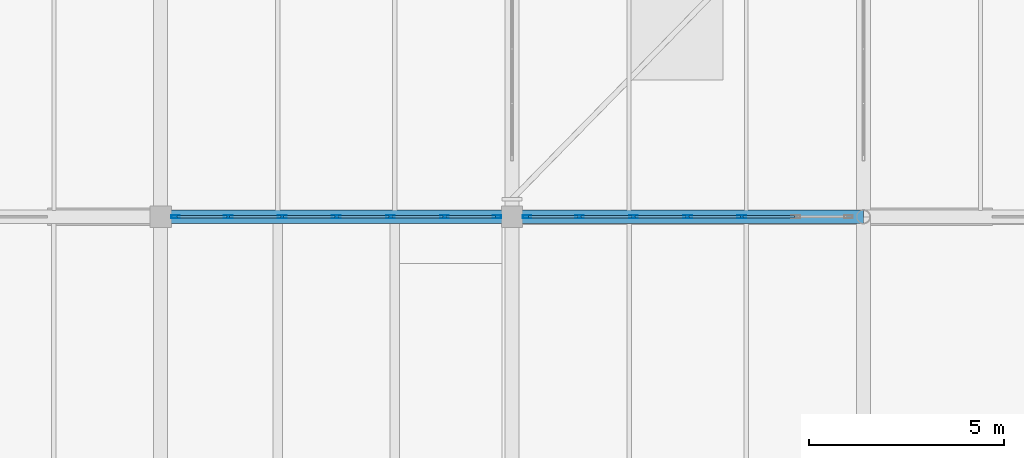
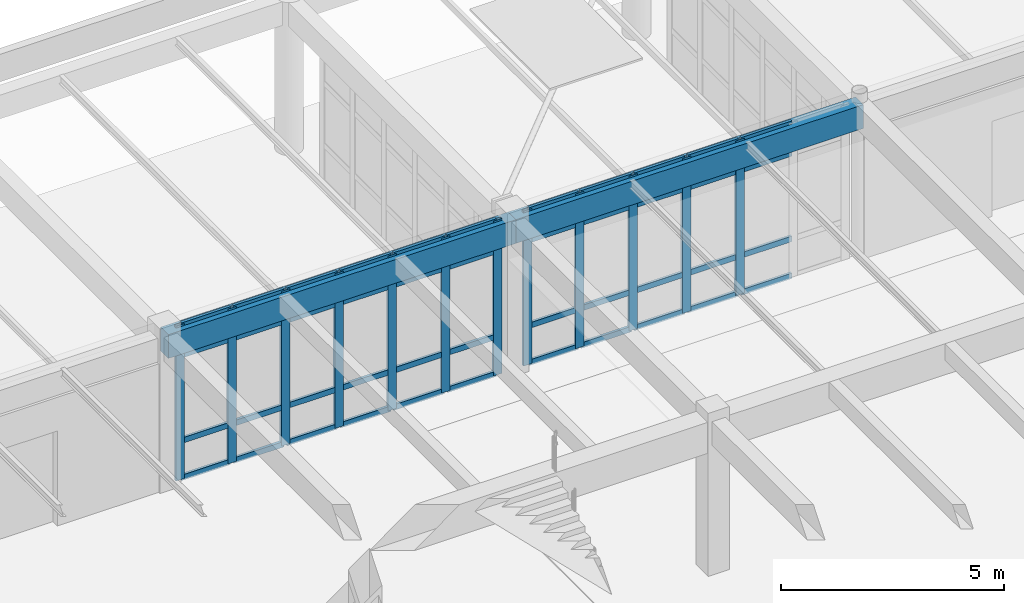
# One storey, part 92 of 186: 56 members, 2 beams, 2 elements without a shape of their own.
"""IFC4 building model written with IfcOpenShell, lengths in metres."""

import ifcopenshell
import ifcopenshell.guid

model = None  # the IFC model being written
_history = None  # IfcOwnerHistory: only IFC2X3 demands one
_inside = {}  # id of a spatial element -> (the spatial element, [elements in it])
_under = {}  # id of a project, library or spatial element -> (it, [spatial elements below it])
_declared = {}  # id of a project -> (the project, [libraries it declares])
_typed = {}  # id of a type object -> (the type object, [elements of that type])
_made_of = {}  # id of a material, layer set ... -> (it, [elements and type objects made of it])


def new_model(schema):
    """Start an empty IFC model of exactly this schema.

    Asked for "IFC4X3", IfcOpenShell would pick the latest addendum, in which some entities
    have other attributes; the version numbers below select the first issue.
    IFC2X3 requires an IfcOwnerHistory on every rooted entity: one is made here for all.
    """
    global model, _history
    if schema == "IFC4X3":
        model = ifcopenshell.file(schema_version=(4, 3, 0, 0))
    else:
        model = ifcopenshell.file(schema=schema)
    _inside.clear()
    _under.clear()
    _declared.clear()
    _typed.clear()
    _made_of.clear()
    _history = None
    if model.schema == "IFC2X3":
        org = make("IfcOrganization", Name="unknown")
        user = make(
            "IfcPersonAndOrganization",
            ThePerson=make("IfcPerson", FamilyName="unknown"),
            TheOrganization=org,
        )
        app = make(
            "IfcApplication",
            ApplicationDeveloper=org,
            Version="unknown",
            ApplicationFullName="unknown",
            ApplicationIdentifier="unknown",
        )
        _history = make(
            "IfcOwnerHistory",
            OwningUser=user,
            OwningApplication=app,
            ChangeAction="ADDED",
            CreationDate=0,
        )
    return model


def make(cls, **values):
    """One entity of the class cls with the attributes given. An attribute that is None is left unset."""
    return model.create_entity(
        cls, **{name: value for name, value in values.items() if value is not None}
    )


def rooted(cls, **values):
    """An entity with a GlobalId (a new one), such as an element, a storey or a relation."""
    return make(cls, GlobalId=ifcopenshell.guid.new(), OwnerHistory=_history, **values)


def si_unit(unit_type, name, prefix=None):
    """IfcSIUnit, for example si_unit("LENGTHUNIT", "METRE", prefix="MILLI")."""
    return make("IfcSIUnit", UnitType=unit_type, Prefix=prefix, Name=name)


def assignment(units):
    """IfcUnitAssignment: the units of a project."""
    return None if units is None else make("IfcUnitAssignment", Units=units)


def point(xyz):
    """IfcCartesianPoint."""
    return None if xyz is None else make("IfcCartesianPoint", Coordinates=xyz)


def direction(xyz):
    """IfcDirection."""
    return None if xyz is None else make("IfcDirection", DirectionRatios=xyz)


def frame(location, z_axis=None, x_axis=None):
    """IfcAxis2Placement3D, a coordinate frame: its origin and axes. An axis left out is left unset."""
    return make(
        "IfcAxis2Placement3D",
        Location=point(location),
        Axis=direction(z_axis),
        RefDirection=direction(x_axis),
    )


def frame_2d(location, x_axis=None):
    """IfcAxis2Placement2D, a coordinate frame in the plane: its origin and x axis."""
    return make(
        "IfcAxis2Placement2D", Location=point(location), RefDirection=direction(x_axis)
    )


def origin():
    """The frame at (0, 0, 0) with its axes left unset."""
    return frame((0.0, 0.0, 0.0))


def origin_2d():
    """The frame at (0, 0) in the plane with its x axis left unset."""
    return frame_2d((0.0, 0.0))


def place(relative_to, where):
    """IfcLocalPlacement: puts the frame where relative to a parent placement (None: the world)."""
    return make(
        "IfcLocalPlacement", PlacementRelTo=relative_to, RelativePlacement=where
    )


def context(
    kind, dimensions, precision=None, world=None, true_north=None, identifier=None
):
    """IfcGeometricRepresentationContext, for example the 3D "Model" context."""
    return make(
        "IfcGeometricRepresentationContext",
        ContextIdentifier=identifier,
        ContextType=kind,
        CoordinateSpaceDimension=dimensions,
        Precision=precision,
        WorldCoordinateSystem=world,
        TrueNorth=true_north,
    )


def subcontext(parent, identifier, kind, view, scale=None):
    """IfcGeometricRepresentationSubContext, for example "Body" below "Model"."""
    return make(
        "IfcGeometricRepresentationSubContext",
        ContextIdentifier=identifier,
        ContextType=kind,
        ParentContext=parent,
        TargetScale=scale,
        TargetView=view,
    )


def project(units=None, contexts=None):
    """IfcProject with its units and contexts."""
    return rooted(
        "IfcProject",
        Name="project",
        RepresentationContexts=contexts,
        UnitsInContext=assignment(units),
    )


def spatial(cls, under=None, at=None, **own):
    """A site, building, storey or space (cls), placed at a placement, below another one or the project."""
    s = rooted(cls, ObjectPlacement=at, **own)
    if under is not None:
        _under.setdefault(under.id(), (under, []))[1].append(s)
    return s


def profile(cls, at=None, kind="AREA", **sizes):
    """A parametric profile (cls). Its sizes go by their IFC names, for example OverallWidth=200.0."""
    return make(cls, ProfileType=kind, Position=at, **sizes)


def rectangle(**sizes):
    """IfcRectangleProfileDef."""
    return profile("IfcRectangleProfileDef", **sizes)


def hollow_rectangle(**sizes):
    """IfcRectangleHollowProfileDef."""
    return profile("IfcRectangleHollowProfileDef", **sizes)


def extrude(swept, where, along, depth):
    """IfcExtrudedAreaSolid: the profile swept, set in the frame where, extruded along a direction by depth."""
    return make(
        "IfcExtrudedAreaSolid",
        SweptArea=swept,
        Position=where,
        ExtrudedDirection=direction(along),
        Depth=depth,
    )


def shape(context_of_items, identifier, shape_type, items):
    """IfcShapeRepresentation: the items that make up one representation, for example the "Body"."""
    return make(
        "IfcShapeRepresentation",
        ContextOfItems=context_of_items,
        RepresentationIdentifier=identifier,
        RepresentationType=shape_type,
        Items=items,
    )


def material(Name=None, Category=None):
    """IfcMaterial."""
    return make("IfcMaterial", Name=Name, Category=Category)


def layer(
    of_material, thickness, ventilated=None, Name=None, Category=None, Priority=None
):
    """IfcMaterialLayer: one layer of a wall or slab, of a material (None: an air gap)."""
    return make(
        "IfcMaterialLayer",
        Material=of_material,
        LayerThickness=thickness,
        IsVentilated=ventilated,
        Name=Name,
        Category=Category,
        Priority=Priority,
    )


def layer_set(layers, Name=None):
    """IfcMaterialLayerSet."""
    return make("IfcMaterialLayerSet", MaterialLayers=layers, LayerSetName=Name)


def material_profile(
    of_material, cross_section, Name=None, Category=None, Priority=None
):
    """IfcMaterialProfile: a cross section and its material."""
    return make(
        "IfcMaterialProfile",
        Name=Name,
        Material=of_material,
        Profile=cross_section,
        Priority=Priority,
        Category=Category,
    )


def profile_set(profiles, Name=None, composite=None):
    """IfcMaterialProfileSet."""
    return make(
        "IfcMaterialProfileSet",
        Name=Name,
        MaterialProfiles=profiles,
        CompositeProfile=composite,
    )


def made_of(thing, what):
    """Note that an element or type object is made of a material, layer set ...; save() writes the relation."""
    if what is not None:
        _made_of.setdefault(what.id(), (what, []))[1].append(thing)
    return thing


def type_object(cls, material=None, **own):
    """A type object (cls), such as IfcWallType, which elements share."""
    return made_of(rooted(cls, **own), material)


def element(
    cls,
    number,
    at=None,
    inside=None,
    cuts=None,
    type_object=None,
    material=None,
    context=None,
    identifier="Body",
    shape_type=None,
    held_by="IfcProductDefinitionShape",
    body=None,
    shapes=None,
    **own,
):
    """One element of the class cls, such as IfcWall. Its Tag is "e" and its number.

    at: its placement. inside: the storey or other place that contains it. cuts: it is an
    opening in that element (IfcRelVoidsElement). A single representation is given by context,
    identifier, shape_type and body (its items); several are given by shapes. held_by: the class
    of the entity that holds the representations. save() writes the other relations.
    """
    e = rooted(cls, Tag="e%d" % number, ObjectPlacement=at, **own)
    if body is not None:
        shapes = [shape(context, identifier, shape_type, body)]
    if shapes is not None:
        e.Representation = make(held_by, Representations=shapes)
    if inside is not None:
        _inside.setdefault(inside.id(), (inside, []))[1].append(e)
    if cuts is not None:
        rooted(
            "IfcRelVoidsElement", RelatingBuildingElement=cuts, RelatedOpeningElement=e
        )
    if type_object is not None:
        _typed.setdefault(type_object.id(), (type_object, []))[1].append(e)
    return made_of(e, material)


def aggregate(whole, parts):
    """IfcRelAggregates: a whole, such as a stair, and the parts it consists of."""
    return rooted("IfcRelAggregates", RelatingObject=whole, RelatedObjects=parts)


def save(model, path):
    """Write the relations noted so far, then the file.

    IfcRelAggregates (storeys below a building ...), IfcRelContainedInSpatialStructure (elements
    in a storey), IfcRelDefinesByType, IfcRelAssociatesMaterial and IfcRelDeclares: one each for
    every whole, place, type object, material and project.
    """
    for whole, parts in _under.values():
        aggregate(whole, parts)
    for where, things in _inside.values():
        rooted(
            "IfcRelContainedInSpatialStructure",
            RelatedElements=things,
            RelatingStructure=where,
        )
    for kind, things in _typed.values():
        rooted("IfcRelDefinesByType", RelatedObjects=things, RelatingType=kind)
    for what, things in _made_of.values():
        rooted("IfcRelAssociatesMaterial", RelatedObjects=things, RelatingMaterial=what)
    for by, libraries in _declared.values():
        rooted("IfcRelDeclares", RelatingContext=by, RelatedDefinitions=libraries)
    model.write(path)


model = new_model("IFC4")

# Units and contexts
model_context = context("Model", 3, precision=1e-05, world=origin(), true_north=direction((0.0, 1.0)))
body_context = subcontext(model_context, "Body", "Model", "MODEL_VIEW")
ifc_project = project(units=[si_unit("LENGTHUNIT", "METRE"), si_unit("AREAUNIT", "SQUARE_METRE"), si_unit("VOLUMEUNIT", "CUBIC_METRE"), si_unit("PLANEANGLEUNIT", "RADIAN"), si_unit("MASSUNIT", "GRAM", prefix="KILO")], contexts=[model_context])

# Site, building, storey
site_placement = place(None, origin())
site = spatial("IfcSite", under=ifc_project, at=site_placement, CompositionType="ELEMENT")
building_placement = place(site_placement, origin())
building = spatial("IfcBuilding", under=site, at=building_placement, Name="Ornek Quay Market", CompositionType="ELEMENT")
storey_placement = place(building_placement, origin())
storey = spatial("IfcBuildingStorey", under=building, at=storey_placement, Name="L00", CompositionType="ELEMENT", Elevation=0.0)

# Beams
ifc_material_1 = material(Name="Concrete C35/45", Category="concrete")
ifc_material_profile_1 = material_profile(ifc_material_1, rectangle(XDim=0.35009765625, YDim=0.64990234375, at=origin_2d()), Name="RC 350x650", Category="concrete")
ifc_profile_set_1 = profile_set([ifc_material_profile_1], Name="Concrete C35/45")
beam_type = type_object("IfcBeamType", Name="BM-CONC-350x650", PredefinedType="BEAM", material=ifc_profile_set_1)
for number, where, z_axis, x_axis, name in (
    (1, (63.0, 110.0, 3.864990234375), (1.0, 0.0, 0.0), (0.0, 1.0, 0.0), "Primary beam B-CN1-009"),
    (2, (72.0, 110.0, 3.864990234375), (1.0, 0.0, 0.0), (0.0, 1.0, 0.0), "Primary beam B-CN1-010"),
):
    element("IfcBeam", number, at=place(storey_placement, frame(where, z_axis=z_axis, x_axis=x_axis)), inside=storey, type_object=beam_type, Name=name, PredefinedType="BEAM", context=body_context, shape_type="SweptSolid", body=[
        extrude(rectangle(XDim=0.35009765625, YDim=0.64990234375, at=origin_2d()), origin(), (0.0, 0.0, 1.0), 9.0),
    ])

# Curtain wall, members
ifc_material_2 = material(Name="Anodised bronze aluminium and triple low-e glass", Category="aluminium")
ifc_layer = layer(ifc_material_2, 0.219970703125, Name="Anodised bronze aluminium and triple low-e glass", Category="aluminium")
ifc_layer_set = layer_set([ifc_layer], Name="Anodised bronze aluminium and triple low-e glass")
curtain_wall_type = type_object("IfcCurtainWallType", Name="CW-PORCH-MOD1500", PredefinedType="USERDEFINED", material=ifc_layer_set)
curtain_wall_1_placement = place(storey_placement, origin())
curtain_wall_1 = element("IfcCurtainWall", 3, at=curtain_wall_1_placement, inside=storey, type_object=curtain_wall_type, Name="Curtain wall CW-045", ObjectType="CURTAIN WALL", PredefinedType="USERDEFINED")
ifc_material_3 = material(Name="Anodised aluminium 6063-T6", Category="aluminium")
ifc_material_profile_2 = material_profile(ifc_material_3, hollow_rectangle(XDim=0.074951171875, YDim=0.219970703125, WallThickness=0.0048828125, at=origin_2d()), Name="CW-MUL-75x220", Category="aluminium")
ifc_profile_set_2 = profile_set([ifc_material_profile_2], Name="Anodised aluminium 6063-T6")
member_type_1 = type_object("IfcMemberType", Name="CW-MUL-75x220", PredefinedType="MULLION", material=ifc_profile_set_2)
member_1_placement = place(storey_placement, frame((63.387451171875, 110.0, 0.0), z_axis=(0.0, 0.0, 1.0), x_axis=(0.0, 1.0, 0.0)))
member_1 = element("IfcMember", 4, at=member_1_placement, type_object=member_type_1, Name="CW-045 mullion 1", PredefinedType="MULLION", context=body_context, shape_type="SweptSolid", body=[
    extrude(hollow_rectangle(XDim=0.074951171875, YDim=0.219970703125, WallThickness=0.0048828125, at=origin_2d()), origin(), (0.0, 0.0, 1.0), 4.239990234375),
])
member_2_placement = place(storey_placement, frame((64.7333984375, 110.0, 0.0), z_axis=(0.0, 0.0, 1.0), x_axis=(0.0, 1.0, 0.0)))
member_2 = element("IfcMember", 5, at=member_2_placement, type_object=member_type_1, Name="CW-045 mullion 2", PredefinedType="MULLION", context=body_context, shape_type="SweptSolid", body=[
    extrude(hollow_rectangle(XDim=0.074951171875, YDim=0.219970703125, WallThickness=0.0048828125, at=origin_2d()), origin(), (0.0, 0.0, 1.0), 4.239990234375),
])
member_3_placement = place(storey_placement, frame((66.11669921875, 110.0, 0.0), z_axis=(0.0, 0.0, 1.0), x_axis=(0.0, 1.0, 0.0)))
member_3 = element("IfcMember", 6, at=member_3_placement, type_object=member_type_1, Name="CW-045 mullion 3", PredefinedType="MULLION", context=body_context, shape_type="SweptSolid", body=[
    extrude(hollow_rectangle(XDim=0.074951171875, YDim=0.219970703125, WallThickness=0.0048828125, at=origin_2d()), origin(), (0.0, 0.0, 1.0), 4.239990234375),
])
member_4_placement = place(storey_placement, frame((67.5, 110.0, 0.0), z_axis=(0.0, 0.0, 1.0), x_axis=(0.0, 1.0, 0.0)))
member_4 = element("IfcMember", 7, at=member_4_placement, type_object=member_type_1, Name="CW-045 mullion 4", PredefinedType="MULLION", context=body_context, shape_type="SweptSolid", body=[
    extrude(hollow_rectangle(XDim=0.074951171875, YDim=0.219970703125, WallThickness=0.0048828125, at=origin_2d()), origin(), (0.0, 0.0, 1.0), 4.239990234375),
])
member_5_placement = place(storey_placement, frame((68.88330078125, 110.0, 0.0), z_axis=(0.0, 0.0, 1.0), x_axis=(0.0, 1.0, 0.0)))
member_5 = element("IfcMember", 8, at=member_5_placement, type_object=member_type_1, Name="CW-045 mullion 5", PredefinedType="MULLION", context=body_context, shape_type="SweptSolid", body=[
    extrude(hollow_rectangle(XDim=0.074951171875, YDim=0.219970703125, WallThickness=0.0048828125, at=origin_2d()), origin(), (0.0, 0.0, 1.0), 4.239990234375),
])
member_6_placement = place(storey_placement, frame((70.2666015625, 110.0, 0.0), z_axis=(0.0, 0.0, 1.0), x_axis=(0.0, 1.0, 0.0)))
member_6 = element("IfcMember", 9, at=member_6_placement, type_object=member_type_1, Name="CW-045 mullion 6", PredefinedType="MULLION", context=body_context, shape_type="SweptSolid", body=[
    extrude(hollow_rectangle(XDim=0.074951171875, YDim=0.219970703125, WallThickness=0.0048828125, at=origin_2d()), origin(), (0.0, 0.0, 1.0), 4.239990234375),
])
member_7_placement = place(storey_placement, frame((71.612548828125, 110.0, 0.0), z_axis=(0.0, 0.0, 1.0), x_axis=(0.0, 1.0, 0.0)))
member_7 = element("IfcMember", 10, at=member_7_placement, type_object=member_type_1, Name="CW-045 mullion 7", PredefinedType="MULLION", context=body_context, shape_type="SweptSolid", body=[
    extrude(hollow_rectangle(XDim=0.074951171875, YDim=0.219970703125, WallThickness=0.0048828125, at=origin_2d()), origin(), (0.0, 0.0, 1.0), 4.239990234375),
])

curtain_wall_2_placement = place(storey_placement, origin())
curtain_wall_2 = element("IfcCurtainWall", 11, at=curtain_wall_2_placement, inside=storey, type_object=curtain_wall_type, Name="Curtain wall CW-046", ObjectType="CURTAIN WALL", PredefinedType="USERDEFINED")
member_8_placement = place(storey_placement, frame((72.387451171875, 110.0, 0.0), z_axis=(0.0, 0.0, 1.0), x_axis=(0.0, 1.0, 0.0)))
member_8 = element("IfcMember", 12, at=member_8_placement, type_object=member_type_1, Name="CW-046 mullion 1", PredefinedType="MULLION", context=body_context, shape_type="SweptSolid", body=[
    extrude(hollow_rectangle(XDim=0.074951171875, YDim=0.219970703125, WallThickness=0.0048828125, at=origin_2d()), origin(), (0.0, 0.0, 1.0), 4.239990234375),
])
member_9_placement = place(storey_placement, frame((73.7333984375, 110.0, 0.0), z_axis=(0.0, 0.0, 1.0), x_axis=(0.0, 1.0, 0.0)))
member_9 = element("IfcMember", 13, at=member_9_placement, type_object=member_type_1, Name="CW-046 mullion 2", PredefinedType="MULLION", context=body_context, shape_type="SweptSolid", body=[
    extrude(hollow_rectangle(XDim=0.074951171875, YDim=0.219970703125, WallThickness=0.0048828125, at=origin_2d()), origin(), (0.0, 0.0, 1.0), 4.239990234375),
])
member_10_placement = place(storey_placement, frame((75.11669921875, 110.0, 0.0), z_axis=(0.0, 0.0, 1.0), x_axis=(0.0, 1.0, 0.0)))
member_10 = element("IfcMember", 14, at=member_10_placement, type_object=member_type_1, Name="CW-046 mullion 3", PredefinedType="MULLION", context=body_context, shape_type="SweptSolid", body=[
    extrude(hollow_rectangle(XDim=0.074951171875, YDim=0.219970703125, WallThickness=0.0048828125, at=origin_2d()), origin(), (0.0, 0.0, 1.0), 4.239990234375),
])
member_11_placement = place(storey_placement, frame((76.5, 110.0, 0.0), z_axis=(0.0, 0.0, 1.0), x_axis=(0.0, 1.0, 0.0)))
member_11 = element("IfcMember", 15, at=member_11_placement, type_object=member_type_1, Name="CW-046 mullion 4", PredefinedType="MULLION", context=body_context, shape_type="SweptSolid", body=[
    extrude(hollow_rectangle(XDim=0.074951171875, YDim=0.219970703125, WallThickness=0.0048828125, at=origin_2d()), origin(), (0.0, 0.0, 1.0), 4.239990234375),
])
member_12_placement = place(storey_placement, frame((77.88330078125, 110.0, 0.0), z_axis=(0.0, 0.0, 1.0), x_axis=(0.0, 1.0, 0.0)))
member_12 = element("IfcMember", 16, at=member_12_placement, type_object=member_type_1, Name="CW-046 mullion 5", PredefinedType="MULLION", context=body_context, shape_type="SweptSolid", body=[
    extrude(hollow_rectangle(XDim=0.074951171875, YDim=0.219970703125, WallThickness=0.0048828125, at=origin_2d()), origin(), (0.0, 0.0, 1.0), 4.239990234375),
])

# Member
ifc_material_profile_3 = material_profile(ifc_material_3, hollow_rectangle(XDim=0.070068359375, YDim=0.14990234375, WallThickness=0.0048828125, at=origin_2d()), Name="CW-TRN-70x150", Category="aluminium")
ifc_profile_set_3 = profile_set([ifc_material_profile_3], Name="Anodised aluminium 6063-T6")
member_type_2 = type_object("IfcMemberType", Name="CW-TRN-70x150", PredefinedType="USERDEFINED", material=ifc_profile_set_3)
member_13_placement = place(storey_placement, frame((63.425048828125, 110.0, 0.034912109375), z_axis=(1.0, 0.0, 0.0), x_axis=(0.0, 1.0, 0.0)))
member_13 = element("IfcMember", 17, at=member_13_placement, type_object=member_type_2, Name="CW-045 transom 1.1", ObjectType="TRANSOM", PredefinedType="USERDEFINED", context=body_context, shape_type="SweptSolid", body=[
    extrude(hollow_rectangle(XDim=0.070068359375, YDim=0.14990234375, WallThickness=0.0048828125, at=origin_2d()), origin(), (0.0, 0.0, 1.0), 1.270751953125),
])

member_14_placement = place(storey_placement, frame((63.425048828125, 110.0, 1.050048828125), z_axis=(1.0, 0.0, 0.0), x_axis=(0.0, 1.0, 0.0)))
member_14 = element("IfcMember", 18, at=member_14_placement, type_object=member_type_2, Name="CW-045 transom 1.2", ObjectType="TRANSOM", PredefinedType="USERDEFINED", context=body_context, shape_type="SweptSolid", body=[
    extrude(hollow_rectangle(XDim=0.070068359375, YDim=0.14990234375, WallThickness=0.0048828125, at=origin_2d()), origin(), (0.0, 0.0, 1.0), 1.270751953125),
])

member_15_placement = place(storey_placement, frame((63.425048828125, 110.0, 3.389892578125), z_axis=(1.0, 0.0, 0.0), x_axis=(0.0, 1.0, 0.0)))
member_15 = element("IfcMember", 19, at=member_15_placement, type_object=member_type_2, Name="CW-045 transom 1.3", ObjectType="TRANSOM", PredefinedType="USERDEFINED", context=body_context, shape_type="SweptSolid", body=[
    extrude(hollow_rectangle(XDim=0.070068359375, YDim=0.14990234375, WallThickness=0.0048828125, at=origin_2d()), origin(), (0.0, 0.0, 1.0), 1.270751953125),
])

member_16_placement = place(storey_placement, frame((63.425048828125, 110.0, 4.205078125), z_axis=(1.0, 0.0, 0.0), x_axis=(0.0, 1.0, 0.0)))
member_16 = element("IfcMember", 20, at=member_16_placement, type_object=member_type_2, Name="CW-045 transom 1.4", ObjectType="TRANSOM", PredefinedType="USERDEFINED", context=body_context, shape_type="SweptSolid", body=[
    extrude(hollow_rectangle(XDim=0.070068359375, YDim=0.14990234375, WallThickness=0.0048828125, at=origin_2d()), origin(), (0.0, 0.0, 1.0), 1.270751953125),
])

member_17_placement = place(storey_placement, frame((64.770751953125, 110.0, 0.034912109375), z_axis=(1.0, 0.0, 0.0), x_axis=(0.0, 1.0, 0.0)))
member_17 = element("IfcMember", 21, at=member_17_placement, type_object=member_type_2, Name="CW-045 transom 2.1", ObjectType="TRANSOM", PredefinedType="USERDEFINED", context=body_context, shape_type="SweptSolid", body=[
    extrude(hollow_rectangle(XDim=0.070068359375, YDim=0.14990234375, WallThickness=0.0048828125, at=origin_2d()), origin(), (0.0, 0.0, 1.0), 1.308349609375),
])

member_18_placement = place(storey_placement, frame((64.770751953125, 110.0, 1.050048828125), z_axis=(1.0, 0.0, 0.0), x_axis=(0.0, 1.0, 0.0)))
member_18 = element("IfcMember", 22, at=member_18_placement, type_object=member_type_2, Name="CW-045 transom 2.2", ObjectType="TRANSOM", PredefinedType="USERDEFINED", context=body_context, shape_type="SweptSolid", body=[
    extrude(hollow_rectangle(XDim=0.070068359375, YDim=0.14990234375, WallThickness=0.0048828125, at=origin_2d()), origin(), (0.0, 0.0, 1.0), 1.308349609375),
])

member_19_placement = place(storey_placement, frame((64.770751953125, 110.0, 3.389892578125), z_axis=(1.0, 0.0, 0.0), x_axis=(0.0, 1.0, 0.0)))
member_19 = element("IfcMember", 23, at=member_19_placement, type_object=member_type_2, Name="CW-045 transom 2.3", ObjectType="TRANSOM", PredefinedType="USERDEFINED", context=body_context, shape_type="SweptSolid", body=[
    extrude(hollow_rectangle(XDim=0.070068359375, YDim=0.14990234375, WallThickness=0.0048828125, at=origin_2d()), origin(), (0.0, 0.0, 1.0), 1.308349609375),
])

member_20_placement = place(storey_placement, frame((64.770751953125, 110.0, 4.205078125), z_axis=(1.0, 0.0, 0.0), x_axis=(0.0, 1.0, 0.0)))
member_20 = element("IfcMember", 24, at=member_20_placement, type_object=member_type_2, Name="CW-045 transom 2.4", ObjectType="TRANSOM", PredefinedType="USERDEFINED", context=body_context, shape_type="SweptSolid", body=[
    extrude(hollow_rectangle(XDim=0.070068359375, YDim=0.14990234375, WallThickness=0.0048828125, at=origin_2d()), origin(), (0.0, 0.0, 1.0), 1.308349609375),
])

member_21_placement = place(storey_placement, frame((66.154052734375, 110.0, 0.034912109375), z_axis=(1.0, 0.0, 0.0), x_axis=(0.0, 1.0, 0.0)))
member_21 = element("IfcMember", 25, at=member_21_placement, type_object=member_type_2, Name="CW-045 transom 3.1", ObjectType="TRANSOM", PredefinedType="USERDEFINED", context=body_context, shape_type="SweptSolid", body=[
    extrude(hollow_rectangle(XDim=0.070068359375, YDim=0.14990234375, WallThickness=0.0048828125, at=origin_2d()), origin(), (0.0, 0.0, 1.0), 1.308349609375),
])

member_22_placement = place(storey_placement, frame((66.154052734375, 110.0, 1.050048828125), z_axis=(1.0, 0.0, 0.0), x_axis=(0.0, 1.0, 0.0)))
member_22 = element("IfcMember", 26, at=member_22_placement, type_object=member_type_2, Name="CW-045 transom 3.2", ObjectType="TRANSOM", PredefinedType="USERDEFINED", context=body_context, shape_type="SweptSolid", body=[
    extrude(hollow_rectangle(XDim=0.070068359375, YDim=0.14990234375, WallThickness=0.0048828125, at=origin_2d()), origin(), (0.0, 0.0, 1.0), 1.308349609375),
])

member_23_placement = place(storey_placement, frame((66.154052734375, 110.0, 3.389892578125), z_axis=(1.0, 0.0, 0.0), x_axis=(0.0, 1.0, 0.0)))
member_23 = element("IfcMember", 27, at=member_23_placement, type_object=member_type_2, Name="CW-045 transom 3.3", ObjectType="TRANSOM", PredefinedType="USERDEFINED", context=body_context, shape_type="SweptSolid", body=[
    extrude(hollow_rectangle(XDim=0.070068359375, YDim=0.14990234375, WallThickness=0.0048828125, at=origin_2d()), origin(), (0.0, 0.0, 1.0), 1.308349609375),
])

member_24_placement = place(storey_placement, frame((66.154052734375, 110.0, 4.205078125), z_axis=(1.0, 0.0, 0.0), x_axis=(0.0, 1.0, 0.0)))
member_24 = element("IfcMember", 28, at=member_24_placement, type_object=member_type_2, Name="CW-045 transom 3.4", ObjectType="TRANSOM", PredefinedType="USERDEFINED", context=body_context, shape_type="SweptSolid", body=[
    extrude(hollow_rectangle(XDim=0.070068359375, YDim=0.14990234375, WallThickness=0.0048828125, at=origin_2d()), origin(), (0.0, 0.0, 1.0), 1.308349609375),
])

member_25_placement = place(storey_placement, frame((67.53759765625, 110.0, 0.034912109375), z_axis=(1.0, 0.0, 0.0), x_axis=(0.0, 1.0, 0.0)))
member_25 = element("IfcMember", 29, at=member_25_placement, type_object=member_type_2, Name="CW-045 transom 4.1", ObjectType="TRANSOM", PredefinedType="USERDEFINED", context=body_context, shape_type="SweptSolid", body=[
    extrude(hollow_rectangle(XDim=0.070068359375, YDim=0.14990234375, WallThickness=0.0048828125, at=origin_2d()), origin(), (0.0, 0.0, 1.0), 1.308349609375),
])

member_26_placement = place(storey_placement, frame((67.53759765625, 110.0, 1.050048828125), z_axis=(1.0, 0.0, 0.0), x_axis=(0.0, 1.0, 0.0)))
member_26 = element("IfcMember", 30, at=member_26_placement, type_object=member_type_2, Name="CW-045 transom 4.2", ObjectType="TRANSOM", PredefinedType="USERDEFINED", context=body_context, shape_type="SweptSolid", body=[
    extrude(hollow_rectangle(XDim=0.070068359375, YDim=0.14990234375, WallThickness=0.0048828125, at=origin_2d()), origin(), (0.0, 0.0, 1.0), 1.308349609375),
])

member_27_placement = place(storey_placement, frame((67.53759765625, 110.0, 3.389892578125), z_axis=(1.0, 0.0, 0.0), x_axis=(0.0, 1.0, 0.0)))
member_27 = element("IfcMember", 31, at=member_27_placement, type_object=member_type_2, Name="CW-045 transom 4.3", ObjectType="TRANSOM", PredefinedType="USERDEFINED", context=body_context, shape_type="SweptSolid", body=[
    extrude(hollow_rectangle(XDim=0.070068359375, YDim=0.14990234375, WallThickness=0.0048828125, at=origin_2d()), origin(), (0.0, 0.0, 1.0), 1.308349609375),
])

member_28_placement = place(storey_placement, frame((67.53759765625, 110.0, 4.205078125), z_axis=(1.0, 0.0, 0.0), x_axis=(0.0, 1.0, 0.0)))
member_28 = element("IfcMember", 32, at=member_28_placement, type_object=member_type_2, Name="CW-045 transom 4.4", ObjectType="TRANSOM", PredefinedType="USERDEFINED", context=body_context, shape_type="SweptSolid", body=[
    extrude(hollow_rectangle(XDim=0.070068359375, YDim=0.14990234375, WallThickness=0.0048828125, at=origin_2d()), origin(), (0.0, 0.0, 1.0), 1.308349609375),
])

member_29_placement = place(storey_placement, frame((68.9208984375, 110.0, 0.034912109375), z_axis=(1.0, 0.0, 0.0), x_axis=(0.0, 1.0, 0.0)))
member_29 = element("IfcMember", 33, at=member_29_placement, type_object=member_type_2, Name="CW-045 transom 5.1", ObjectType="TRANSOM", PredefinedType="USERDEFINED", context=body_context, shape_type="SweptSolid", body=[
    extrude(hollow_rectangle(XDim=0.070068359375, YDim=0.14990234375, WallThickness=0.0048828125, at=origin_2d()), origin(), (0.0, 0.0, 1.0), 1.308349609375),
])

member_30_placement = place(storey_placement, frame((68.9208984375, 110.0, 1.050048828125), z_axis=(1.0, 0.0, 0.0), x_axis=(0.0, 1.0, 0.0)))
member_30 = element("IfcMember", 34, at=member_30_placement, type_object=member_type_2, Name="CW-045 transom 5.2", ObjectType="TRANSOM", PredefinedType="USERDEFINED", context=body_context, shape_type="SweptSolid", body=[
    extrude(hollow_rectangle(XDim=0.070068359375, YDim=0.14990234375, WallThickness=0.0048828125, at=origin_2d()), origin(), (0.0, 0.0, 1.0), 1.308349609375),
])

member_31_placement = place(storey_placement, frame((68.9208984375, 110.0, 3.389892578125), z_axis=(1.0, 0.0, 0.0), x_axis=(0.0, 1.0, 0.0)))
member_31 = element("IfcMember", 35, at=member_31_placement, type_object=member_type_2, Name="CW-045 transom 5.3", ObjectType="TRANSOM", PredefinedType="USERDEFINED", context=body_context, shape_type="SweptSolid", body=[
    extrude(hollow_rectangle(XDim=0.070068359375, YDim=0.14990234375, WallThickness=0.0048828125, at=origin_2d()), origin(), (0.0, 0.0, 1.0), 1.308349609375),
])

member_32_placement = place(storey_placement, frame((68.9208984375, 110.0, 4.205078125), z_axis=(1.0, 0.0, 0.0), x_axis=(0.0, 1.0, 0.0)))
member_32 = element("IfcMember", 36, at=member_32_placement, type_object=member_type_2, Name="CW-045 transom 5.4", ObjectType="TRANSOM", PredefinedType="USERDEFINED", context=body_context, shape_type="SweptSolid", body=[
    extrude(hollow_rectangle(XDim=0.070068359375, YDim=0.14990234375, WallThickness=0.0048828125, at=origin_2d()), origin(), (0.0, 0.0, 1.0), 1.308349609375),
])

member_33_placement = place(storey_placement, frame((70.30419921875, 110.0, 0.034912109375), z_axis=(1.0, 0.0, 0.0), x_axis=(0.0, 1.0, 0.0)))
member_33 = element("IfcMember", 37, at=member_33_placement, type_object=member_type_2, Name="CW-045 transom 6.1", ObjectType="TRANSOM", PredefinedType="USERDEFINED", context=body_context, shape_type="SweptSolid", body=[
    extrude(hollow_rectangle(XDim=0.070068359375, YDim=0.14990234375, WallThickness=0.0048828125, at=origin_2d()), origin(), (0.0, 0.0, 1.0), 1.270751953125),
])

member_34_placement = place(storey_placement, frame((70.30419921875, 110.0, 1.050048828125), z_axis=(1.0, 0.0, 0.0), x_axis=(0.0, 1.0, 0.0)))
member_34 = element("IfcMember", 38, at=member_34_placement, type_object=member_type_2, Name="CW-045 transom 6.2", ObjectType="TRANSOM", PredefinedType="USERDEFINED", context=body_context, shape_type="SweptSolid", body=[
    extrude(hollow_rectangle(XDim=0.070068359375, YDim=0.14990234375, WallThickness=0.0048828125, at=origin_2d()), origin(), (0.0, 0.0, 1.0), 1.270751953125),
])

member_35_placement = place(storey_placement, frame((70.30419921875, 110.0, 3.389892578125), z_axis=(1.0, 0.0, 0.0), x_axis=(0.0, 1.0, 0.0)))
member_35 = element("IfcMember", 39, at=member_35_placement, type_object=member_type_2, Name="CW-045 transom 6.3", ObjectType="TRANSOM", PredefinedType="USERDEFINED", context=body_context, shape_type="SweptSolid", body=[
    extrude(hollow_rectangle(XDim=0.070068359375, YDim=0.14990234375, WallThickness=0.0048828125, at=origin_2d()), origin(), (0.0, 0.0, 1.0), 1.270751953125),
])

member_36_placement = place(storey_placement, frame((70.30419921875, 110.0, 4.205078125), z_axis=(1.0, 0.0, 0.0), x_axis=(0.0, 1.0, 0.0)))
member_36 = element("IfcMember", 40, at=member_36_placement, type_object=member_type_2, Name="CW-045 transom 6.4", ObjectType="TRANSOM", PredefinedType="USERDEFINED", context=body_context, shape_type="SweptSolid", body=[
    extrude(hollow_rectangle(XDim=0.070068359375, YDim=0.14990234375, WallThickness=0.0048828125, at=origin_2d()), origin(), (0.0, 0.0, 1.0), 1.270751953125),
])

aggregate(curtain_wall_1, [member_1, member_2, member_3, member_4, member_5, member_6, member_7, member_13, member_14, member_15, member_16, member_17, member_18, member_19, member_20, member_21, member_22, member_23, member_24, member_25, member_26, member_27, member_28, member_29, member_30, member_31, member_32, member_33, member_34, member_35, member_36])

member_37_placement = place(storey_placement, frame((72.425048828125, 110.0, 0.034912109375), z_axis=(1.0, 0.0, 0.0), x_axis=(0.0, 1.0, 0.0)))
member_37 = element("IfcMember", 41, at=member_37_placement, type_object=member_type_2, Name="CW-046 transom 1.1", ObjectType="TRANSOM", PredefinedType="USERDEFINED", context=body_context, shape_type="SweptSolid", body=[
    extrude(hollow_rectangle(XDim=0.070068359375, YDim=0.14990234375, WallThickness=0.0048828125, at=origin_2d()), origin(), (0.0, 0.0, 1.0), 1.270751953125),
])

member_38_placement = place(storey_placement, frame((72.425048828125, 110.0, 1.050048828125), z_axis=(1.0, 0.0, 0.0), x_axis=(0.0, 1.0, 0.0)))
member_38 = element("IfcMember", 42, at=member_38_placement, type_object=member_type_2, Name="CW-046 transom 1.2", ObjectType="TRANSOM", PredefinedType="USERDEFINED", context=body_context, shape_type="SweptSolid", body=[
    extrude(hollow_rectangle(XDim=0.070068359375, YDim=0.14990234375, WallThickness=0.0048828125, at=origin_2d()), origin(), (0.0, 0.0, 1.0), 1.270751953125),
])

member_39_placement = place(storey_placement, frame((72.425048828125, 110.0, 3.389892578125), z_axis=(1.0, 0.0, 0.0), x_axis=(0.0, 1.0, 0.0)))
member_39 = element("IfcMember", 43, at=member_39_placement, type_object=member_type_2, Name="CW-046 transom 1.3", ObjectType="TRANSOM", PredefinedType="USERDEFINED", context=body_context, shape_type="SweptSolid", body=[
    extrude(hollow_rectangle(XDim=0.070068359375, YDim=0.14990234375, WallThickness=0.0048828125, at=origin_2d()), origin(), (0.0, 0.0, 1.0), 1.270751953125),
])

member_40_placement = place(storey_placement, frame((72.425048828125, 110.0, 4.205078125), z_axis=(1.0, 0.0, 0.0), x_axis=(0.0, 1.0, 0.0)))
member_40 = element("IfcMember", 44, at=member_40_placement, type_object=member_type_2, Name="CW-046 transom 1.4", ObjectType="TRANSOM", PredefinedType="USERDEFINED", context=body_context, shape_type="SweptSolid", body=[
    extrude(hollow_rectangle(XDim=0.070068359375, YDim=0.14990234375, WallThickness=0.0048828125, at=origin_2d()), origin(), (0.0, 0.0, 1.0), 1.270751953125),
])

member_41_placement = place(storey_placement, frame((73.770751953125, 110.0, 0.034912109375), z_axis=(1.0, 0.0, 0.0), x_axis=(0.0, 1.0, 0.0)))
member_41 = element("IfcMember", 45, at=member_41_placement, type_object=member_type_2, Name="CW-046 transom 2.1", ObjectType="TRANSOM", PredefinedType="USERDEFINED", context=body_context, shape_type="SweptSolid", body=[
    extrude(hollow_rectangle(XDim=0.070068359375, YDim=0.14990234375, WallThickness=0.0048828125, at=origin_2d()), origin(), (0.0, 0.0, 1.0), 1.308349609375),
])

member_42_placement = place(storey_placement, frame((73.770751953125, 110.0, 1.050048828125), z_axis=(1.0, 0.0, 0.0), x_axis=(0.0, 1.0, 0.0)))
member_42 = element("IfcMember", 46, at=member_42_placement, type_object=member_type_2, Name="CW-046 transom 2.2", ObjectType="TRANSOM", PredefinedType="USERDEFINED", context=body_context, shape_type="SweptSolid", body=[
    extrude(hollow_rectangle(XDim=0.070068359375, YDim=0.14990234375, WallThickness=0.0048828125, at=origin_2d()), origin(), (0.0, 0.0, 1.0), 1.308349609375),
])

member_43_placement = place(storey_placement, frame((73.770751953125, 110.0, 3.389892578125), z_axis=(1.0, 0.0, 0.0), x_axis=(0.0, 1.0, 0.0)))
member_43 = element("IfcMember", 47, at=member_43_placement, type_object=member_type_2, Name="CW-046 transom 2.3", ObjectType="TRANSOM", PredefinedType="USERDEFINED", context=body_context, shape_type="SweptSolid", body=[
    extrude(hollow_rectangle(XDim=0.070068359375, YDim=0.14990234375, WallThickness=0.0048828125, at=origin_2d()), origin(), (0.0, 0.0, 1.0), 1.308349609375),
])

member_44_placement = place(storey_placement, frame((73.770751953125, 110.0, 4.205078125), z_axis=(1.0, 0.0, 0.0), x_axis=(0.0, 1.0, 0.0)))
member_44 = element("IfcMember", 48, at=member_44_placement, type_object=member_type_2, Name="CW-046 transom 2.4", ObjectType="TRANSOM", PredefinedType="USERDEFINED", context=body_context, shape_type="SweptSolid", body=[
    extrude(hollow_rectangle(XDim=0.070068359375, YDim=0.14990234375, WallThickness=0.0048828125, at=origin_2d()), origin(), (0.0, 0.0, 1.0), 1.308349609375),
])

member_45_placement = place(storey_placement, frame((75.154052734375, 110.0, 0.034912109375), z_axis=(1.0, 0.0, 0.0), x_axis=(0.0, 1.0, 0.0)))
member_45 = element("IfcMember", 49, at=member_45_placement, type_object=member_type_2, Name="CW-046 transom 3.1", ObjectType="TRANSOM", PredefinedType="USERDEFINED", context=body_context, shape_type="SweptSolid", body=[
    extrude(hollow_rectangle(XDim=0.070068359375, YDim=0.14990234375, WallThickness=0.0048828125, at=origin_2d()), origin(), (0.0, 0.0, 1.0), 1.308349609375),
])

member_46_placement = place(storey_placement, frame((75.154052734375, 110.0, 1.050048828125), z_axis=(1.0, 0.0, 0.0), x_axis=(0.0, 1.0, 0.0)))
member_46 = element("IfcMember", 50, at=member_46_placement, type_object=member_type_2, Name="CW-046 transom 3.2", ObjectType="TRANSOM", PredefinedType="USERDEFINED", context=body_context, shape_type="SweptSolid", body=[
    extrude(hollow_rectangle(XDim=0.070068359375, YDim=0.14990234375, WallThickness=0.0048828125, at=origin_2d()), origin(), (0.0, 0.0, 1.0), 1.308349609375),
])

member_47_placement = place(storey_placement, frame((75.154052734375, 110.0, 3.389892578125), z_axis=(1.0, 0.0, 0.0), x_axis=(0.0, 1.0, 0.0)))
member_47 = element("IfcMember", 51, at=member_47_placement, type_object=member_type_2, Name="CW-046 transom 3.3", ObjectType="TRANSOM", PredefinedType="USERDEFINED", context=body_context, shape_type="SweptSolid", body=[
    extrude(hollow_rectangle(XDim=0.070068359375, YDim=0.14990234375, WallThickness=0.0048828125, at=origin_2d()), origin(), (0.0, 0.0, 1.0), 1.308349609375),
])

member_48_placement = place(storey_placement, frame((75.154052734375, 110.0, 4.205078125), z_axis=(1.0, 0.0, 0.0), x_axis=(0.0, 1.0, 0.0)))
member_48 = element("IfcMember", 52, at=member_48_placement, type_object=member_type_2, Name="CW-046 transom 3.4", ObjectType="TRANSOM", PredefinedType="USERDEFINED", context=body_context, shape_type="SweptSolid", body=[
    extrude(hollow_rectangle(XDim=0.070068359375, YDim=0.14990234375, WallThickness=0.0048828125, at=origin_2d()), origin(), (0.0, 0.0, 1.0), 1.308349609375),
])

member_49_placement = place(storey_placement, frame((76.53759765625, 110.0, 0.034912109375), z_axis=(1.0, 0.0, 0.0), x_axis=(0.0, 1.0, 0.0)))
member_49 = element("IfcMember", 53, at=member_49_placement, type_object=member_type_2, Name="CW-046 transom 4.1", ObjectType="TRANSOM", PredefinedType="USERDEFINED", context=body_context, shape_type="SweptSolid", body=[
    extrude(hollow_rectangle(XDim=0.070068359375, YDim=0.14990234375, WallThickness=0.0048828125, at=origin_2d()), origin(), (0.0, 0.0, 1.0), 1.308349609375),
])

member_50_placement = place(storey_placement, frame((76.53759765625, 110.0, 1.050048828125), z_axis=(1.0, 0.0, 0.0), x_axis=(0.0, 1.0, 0.0)))
member_50 = element("IfcMember", 54, at=member_50_placement, type_object=member_type_2, Name="CW-046 transom 4.2", ObjectType="TRANSOM", PredefinedType="USERDEFINED", context=body_context, shape_type="SweptSolid", body=[
    extrude(hollow_rectangle(XDim=0.070068359375, YDim=0.14990234375, WallThickness=0.0048828125, at=origin_2d()), origin(), (0.0, 0.0, 1.0), 1.308349609375),
])

member_51_placement = place(storey_placement, frame((76.53759765625, 110.0, 3.389892578125), z_axis=(1.0, 0.0, 0.0), x_axis=(0.0, 1.0, 0.0)))
member_51 = element("IfcMember", 55, at=member_51_placement, type_object=member_type_2, Name="CW-046 transom 4.3", ObjectType="TRANSOM", PredefinedType="USERDEFINED", context=body_context, shape_type="SweptSolid", body=[
    extrude(hollow_rectangle(XDim=0.070068359375, YDim=0.14990234375, WallThickness=0.0048828125, at=origin_2d()), origin(), (0.0, 0.0, 1.0), 1.308349609375),
])

member_52_placement = place(storey_placement, frame((76.53759765625, 110.0, 4.205078125), z_axis=(1.0, 0.0, 0.0), x_axis=(0.0, 1.0, 0.0)))
member_52 = element("IfcMember", 56, at=member_52_placement, type_object=member_type_2, Name="CW-046 transom 4.4", ObjectType="TRANSOM", PredefinedType="USERDEFINED", context=body_context, shape_type="SweptSolid", body=[
    extrude(hollow_rectangle(XDim=0.070068359375, YDim=0.14990234375, WallThickness=0.0048828125, at=origin_2d()), origin(), (0.0, 0.0, 1.0), 1.308349609375),
])

member_53_placement = place(storey_placement, frame((77.9208984375, 110.0, 0.034912109375), z_axis=(1.0, 0.0, 0.0), x_axis=(0.0, 1.0, 0.0)))
member_53 = element("IfcMember", 57, at=member_53_placement, type_object=member_type_2, Name="CW-046 transom 5.1", ObjectType="TRANSOM", PredefinedType="USERDEFINED", context=body_context, shape_type="SweptSolid", body=[
    extrude(hollow_rectangle(XDim=0.070068359375, YDim=0.14990234375, WallThickness=0.0048828125, at=origin_2d()), origin(), (0.0, 0.0, 1.0), 1.308349609375),
])

member_54_placement = place(storey_placement, frame((77.9208984375, 110.0, 1.050048828125), z_axis=(1.0, 0.0, 0.0), x_axis=(0.0, 1.0, 0.0)))
member_54 = element("IfcMember", 58, at=member_54_placement, type_object=member_type_2, Name="CW-046 transom 5.2", ObjectType="TRANSOM", PredefinedType="USERDEFINED", context=body_context, shape_type="SweptSolid", body=[
    extrude(hollow_rectangle(XDim=0.070068359375, YDim=0.14990234375, WallThickness=0.0048828125, at=origin_2d()), origin(), (0.0, 0.0, 1.0), 1.308349609375),
])

member_55_placement = place(storey_placement, frame((77.9208984375, 110.0, 3.389892578125), z_axis=(1.0, 0.0, 0.0), x_axis=(0.0, 1.0, 0.0)))
member_55 = element("IfcMember", 59, at=member_55_placement, type_object=member_type_2, Name="CW-046 transom 5.3", ObjectType="TRANSOM", PredefinedType="USERDEFINED", context=body_context, shape_type="SweptSolid", body=[
    extrude(hollow_rectangle(XDim=0.070068359375, YDim=0.14990234375, WallThickness=0.0048828125, at=origin_2d()), origin(), (0.0, 0.0, 1.0), 1.308349609375),
])

member_56_placement = place(storey_placement, frame((77.9208984375, 110.0, 4.205078125), z_axis=(1.0, 0.0, 0.0), x_axis=(0.0, 1.0, 0.0)))
member_56 = element("IfcMember", 60, at=member_56_placement, type_object=member_type_2, Name="CW-046 transom 5.4", ObjectType="TRANSOM", PredefinedType="USERDEFINED", context=body_context, shape_type="SweptSolid", body=[
    extrude(hollow_rectangle(XDim=0.070068359375, YDim=0.14990234375, WallThickness=0.0048828125, at=origin_2d()), origin(), (0.0, 0.0, 1.0), 1.308349609375),
])

aggregate(curtain_wall_2, [member_8, member_9, member_10, member_11, member_12, member_37, member_38, member_39, member_40, member_41, member_42, member_43, member_44, member_45, member_46, member_47, member_48, member_49, member_50, member_51, member_52, member_53, member_54, member_55, member_56])

save(model, "model.ifc")
